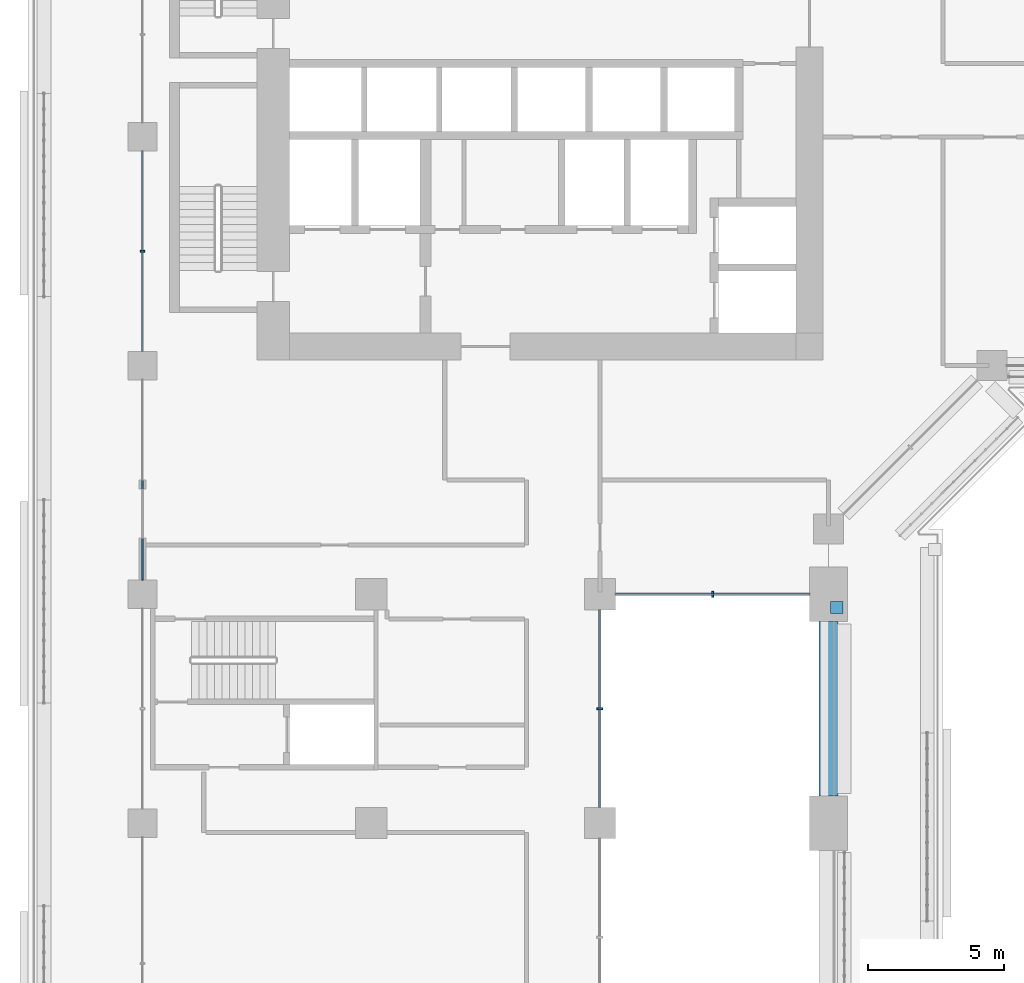
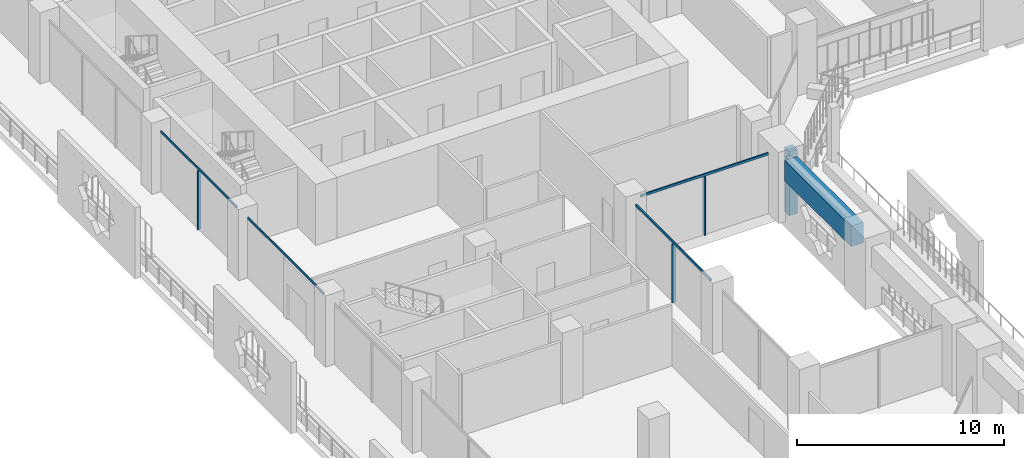
# One storey, part 4 of 29: 8 members, 1 beam, 4 elements without a shape of their own.
"""IFC4 building model written with IfcOpenShell, lengths in metres."""

from ifc_helpers import new_model, si_unit, direction, frame, origin, origin_2d, place, context, subcontext, project, spatial, rectangle, extrude, material, layer, layer_set, material_profile, profile_set, type_object, element, aggregate, save


model = new_model("IFC4")

# Units and contexts
model_context = context("Model", 3, precision=1e-05, world=origin(), true_north=direction((0.0, 1.0)))
body_context = subcontext(model_context, "Body", "Model", "MODEL_VIEW")
ifc_project = project(units=[si_unit("LENGTHUNIT", "METRE"), si_unit("AREAUNIT", "SQUARE_METRE"), si_unit("VOLUMEUNIT", "CUBIC_METRE"), si_unit("PLANEANGLEUNIT", "RADIAN"), si_unit("MASSUNIT", "GRAM", prefix="KILO")], contexts=[model_context])

# Site, building, storey
site_placement = place(None, origin())
site = spatial("IfcSite", under=ifc_project, at=site_placement, CompositionType="ELEMENT")
building_placement = place(site_placement, origin())
building = spatial("IfcBuilding", under=site, at=building_placement, Name="Kawkab Arch Medical Tower", CompositionType="ELEMENT")
storey_placement = place(building_placement, frame((0.0, 0.0, 107.199951171875)))
storey = spatial("IfcBuildingStorey", under=building, at=storey_placement, Name="L24", CompositionType="ELEMENT", Elevation=107.199951171875)

# Curtain wall, members
ifc_material_1 = material(Name="Bronze anodised aluminium curtain wall frame", Category="aluminium")
ifc_layer_1 = layer(ifc_material_1, 0.159912109375)
ifc_layer_set_1 = layer_set([ifc_layer_1], Name="Bronze anodised aluminium curtain wall frame")
curtain_wall_type_1 = type_object("IfcCurtainWallType", Name="CW1 ward curtain wall", PredefinedType="NOTDEFINED", material=ifc_layer_set_1)
placement = place(storey_placement, origin())
curtain_wall_1 = element("IfcCurtainWall", 1, at=placement, inside=storey, type_object=curtain_wall_type_1, Name="CW1 Ward curtain wall R13", PredefinedType="NOTDEFINED")
ifc_material_2 = material(Name="Bronze anodised aluminium curtain wall frame", Category="aluminium")
ifc_material_profile_1 = material_profile(ifc_material_2, rectangle(XDim=0.179931640625, YDim=0.06005859375, at=origin_2d()), Name="AL 60x180")
ifc_profile_set_1 = profile_set([ifc_material_profile_1], Name="Bronze anodised aluminium curtain wall frame")
member_type_1 = type_object("IfcMemberType", Name="CW1 mullion 60 x 180", PredefinedType="MULLION", material=ifc_profile_set_1)
member_1_placement = place(storey_placement, frame((0.0, -21.0, 0.0), z_axis=(0.0, 0.0, 1.0), x_axis=(1.0, 0.0, 0.0)))
member_1 = element("IfcMember", 2, at=member_1_placement, type_object=member_type_1, Name="CW1 mullion 3.1", PredefinedType="MULLION", context=body_context, shape_type="SweptSolid", body=[
    extrude(rectangle(XDim=0.179931640625, YDim=0.06005859375, at=origin_2d()), origin(), (0.0, 0.0, 1.0), 3.47998046875),
])
ifc_material_3 = material(Name="Bronze anodised aluminium curtain wall frame", Category="aluminium")
ifc_material_profile_2 = material_profile(ifc_material_3, rectangle(XDim=0.06005859375, YDim=0.1201171875, at=origin_2d()), Name="AL 60x120")
ifc_profile_set_2 = profile_set([ifc_material_profile_2], Name="Bronze anodised aluminium curtain wall frame")
member_type_2 = type_object("IfcMemberType", Name="CW1 transom 120 x 60", PredefinedType="USERDEFINED", material=ifc_profile_set_2)
member_2_placement = place(storey_placement, frame((0.0, -17.324951171875, 3.5400390625), z_axis=(0.0, -1.0, 0.0), x_axis=(1.0, 0.0, 0.0)))
member_2 = element("IfcMember", 3, at=member_2_placement, type_object=member_type_2, Name="CW1 transom 3", ObjectType="TRANSOM", PredefinedType="USERDEFINED", context=body_context, shape_type="SweptSolid", body=[
    extrude(rectangle(XDim=0.06005859375, YDim=0.1201171875, at=origin_2d()), origin(), (0.0, 0.0, 1.0), 7.35009765625),
])
member_3_placement = place(storey_placement, frame((0.0, -25.72509765625, 3.5400390625), z_axis=(0.0, -1.0, 0.0), x_axis=(1.0, 0.0, 0.0)))
member_3 = element("IfcMember", 4, at=member_3_placement, type_object=member_type_2, Name="CW1 transom 4", ObjectType="TRANSOM", PredefinedType="USERDEFINED", context=body_context, shape_type="SweptSolid", body=[
    extrude(rectangle(XDim=0.06005859375, YDim=0.1201171875, at=origin_2d()), origin(), (0.0, 0.0, 1.0), 7.349853515625),
])
aggregate(curtain_wall_1, [member_2, member_1, member_3])

# Curtain wall, member
ifc_material_4 = material(Name="Bronze anodised aluminium curtain wall frame", Category="aluminium")
ifc_layer_2 = layer(ifc_material_4, 0.159912109375)
ifc_layer_set_2 = layer_set([ifc_layer_2], Name="Bronze anodised aluminium curtain wall frame")
curtain_wall_type_2 = type_object("IfcCurtainWallType", Name="CW3 sky garden curtain wall", PredefinedType="NOTDEFINED", material=ifc_layer_set_2)
curtain_wall_2 = element("IfcCurtainWall", 5, at=placement, inside=storey, type_object=curtain_wall_type_2, Name="CW3 Sky garden curtain wall R03", PredefinedType="NOTDEFINED")
ifc_material_5 = material(Name="Bronze anodised aluminium curtain wall frame", Category="aluminium")
ifc_material_profile_3 = material_profile(ifc_material_5, rectangle(XDim=0.219970703125, YDim=0.070068359375, at=origin_2d()), Name="AL 70x220")
ifc_profile_set_3 = profile_set([ifc_material_profile_3], Name="Bronze anodised aluminium curtain wall frame")
member_type_3 = type_object("IfcMemberType", Name="CW3 mullion 70 x 220", PredefinedType="MULLION", material=ifc_profile_set_3)
member_4_placement = place(storey_placement, frame((16.800048828125, -37.800048828125, 0.0), z_axis=(0.0, 0.0, 1.0), x_axis=(-1.0, 0.0, 0.0)))
member_4 = element("IfcMember", 6, at=member_4_placement, type_object=member_type_3, Name="CW3 mullion 2.1", PredefinedType="MULLION", context=body_context, shape_type="SweptSolid", body=[
    extrude(rectangle(XDim=0.219970703125, YDim=0.070068359375, at=origin_2d()), origin(), (0.0, 0.0, 1.0), 3.4599609375),
])

curtain_wall_3 = element("IfcCurtainWall", 7, at=placement, inside=storey, type_object=curtain_wall_type_2, Name="CW3 Sky garden curtain wall R04", PredefinedType="NOTDEFINED")
member_5_placement = place(storey_placement, frame((20.9375, -33.60009765625, 0.0), z_axis=(0.0, 0.0, 1.0), x_axis=(0.0, 1.0, 0.0)))
member_5 = element("IfcMember", 8, at=member_5_placement, type_object=member_type_3, Name="CW3 mullion 1.1", PredefinedType="MULLION", context=body_context, shape_type="SweptSolid", body=[
    extrude(rectangle(XDim=0.219970703125, YDim=0.070068359375, at=origin_2d()), origin(), (0.0, 0.0, 1.0), 3.4599609375),
])

# Member
ifc_material_6 = material(Name="Bronze anodised aluminium curtain wall frame", Category="aluminium")
ifc_material_profile_4 = material_profile(ifc_material_6, rectangle(XDim=0.070068359375, YDim=0.139892578125, at=origin_2d()), Name="AL 70x140")
ifc_profile_set_4 = profile_set([ifc_material_profile_4], Name="Bronze anodised aluminium curtain wall frame")
member_type_4 = type_object("IfcMemberType", Name="CW3 transom 140 x 70", PredefinedType="USERDEFINED", material=ifc_profile_set_4)
member_6_placement = place(storey_placement, frame((16.800048828125, -41.425048828125, 3.530029296875), z_axis=(0.0, 1.0, 0.0), x_axis=(-1.0, 0.0, 0.0)))
member_6 = element("IfcMember", 9, at=member_6_placement, type_object=member_type_4, Name="CW3 transom 2", ObjectType="TRANSOM", PredefinedType="USERDEFINED", context=body_context, shape_type="SweptSolid", body=[
    extrude(rectangle(XDim=0.070068359375, YDim=0.139892578125, at=origin_2d()), origin(), (0.0, 0.0, 1.0), 7.25),
])

aggregate(curtain_wall_2, [member_6, member_4])

member_7_placement = place(storey_placement, frame((17.375, -33.60009765625, 3.530029296875), z_axis=(1.0, 0.0, 0.0), x_axis=(0.0, 1.0, 0.0)))
member_7 = element("IfcMember", 10, at=member_7_placement, type_object=member_type_4, Name="CW3 transom 1", ObjectType="TRANSOM", PredefinedType="USERDEFINED", context=body_context, shape_type="SweptSolid", body=[
    extrude(rectangle(XDim=0.070068359375, YDim=0.139892578125, at=origin_2d()), origin(), (0.0, 0.0, 1.0), 7.125),
])

aggregate(curtain_wall_3, [member_7, member_5])

# Curtain wall, member
ifc_material_7 = material(Name="Bronze anodised aluminium climber frame, planted", Category="aluminium")
ifc_layer_3 = layer(ifc_material_7, 0.449951171875)
ifc_layer_set_3 = layer_set([ifc_layer_3], Name="Bronze anodised aluminium climber frame, planted")
curtain_wall_type_3 = type_object("IfcCurtainWallType", Name="Planted climber frame", PredefinedType="NOTDEFINED", material=ifc_layer_set_3)
curtain_wall_4 = element("IfcCurtainWall", 11, at=placement, inside=storey, type_object=curtain_wall_type_3, Name="Planted climber frame L24", PredefinedType="NOTDEFINED")
ifc_material_8 = material(Name="Bronze anodised aluminium climber frame, planted", Category="aluminium")
ifc_material_profile_5 = material_profile(ifc_material_8, rectangle(XDim=0.449951171875, YDim=0.449951171875, at=origin_2d()), Name="Post 450x450")
ifc_profile_set_5 = profile_set([ifc_material_profile_5], Name="Bronze anodised aluminium climber frame, planted")
member_type_5 = type_object("IfcMemberType", Name="Planted climber post 450 x 450", PredefinedType="MULLION", material=ifc_profile_set_5)
member_8_placement = place(storey_placement, frame((25.5, -34.080078125, 0.0), z_axis=(0.0, 0.0, 1.0), x_axis=(1.0, 0.0, 0.0)))
member_8 = element("IfcMember", 12, at=member_8_placement, type_object=member_type_5, Name="Planted climber post L24.LOG-01-01.2", PredefinedType="MULLION", context=body_context, shape_type="SweptSolid", body=[
    extrude(rectangle(XDim=0.449951171875, YDim=0.449951171875, at=origin_2d()), origin(), (0.0, 0.0, 1.0), 3.800048828125),
])
aggregate(curtain_wall_4, [member_8])

# Beam
ifc_material_9 = material(Name="Concrete C55/67", Category="concrete")
ifc_material_profile_6 = material_profile(ifc_material_9, rectangle(XDim=0.699951171875, YDim=1.199951171875, at=origin_2d()), Name="RC 700x1200")
ifc_profile_set_6 = profile_set([ifc_material_profile_6], Name="Concrete C55/67")
beam_type = type_object("IfcBeamType", Name="RC 700x1200 beam C55/67", PredefinedType="BEAM", material=ifc_profile_set_6)
beam_placement = place(storey_placement, frame((25.199951171875, -34.60009765625, 3.0), z_axis=(0.0, -1.0, 0.0), x_axis=(1.0, 0.0, 0.0)))
element("IfcBeam", 13, at=beam_placement, inside=storey, type_object=beam_type, Name="Terrace frame beam TF-L22-2-L25-01", PredefinedType="BEAM", context=body_context, shape_type="SweptSolid", body=[
    extrude(rectangle(XDim=0.699951171875, YDim=1.199951171875, at=origin_2d()), origin(), (0.0, 0.0, 1.0), 6.39990234375),
])

save(model, "model.ifc")
